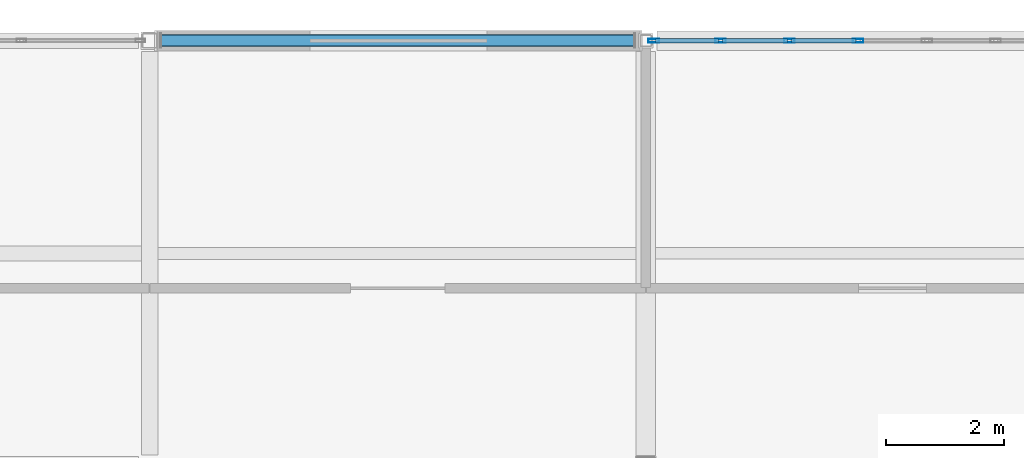
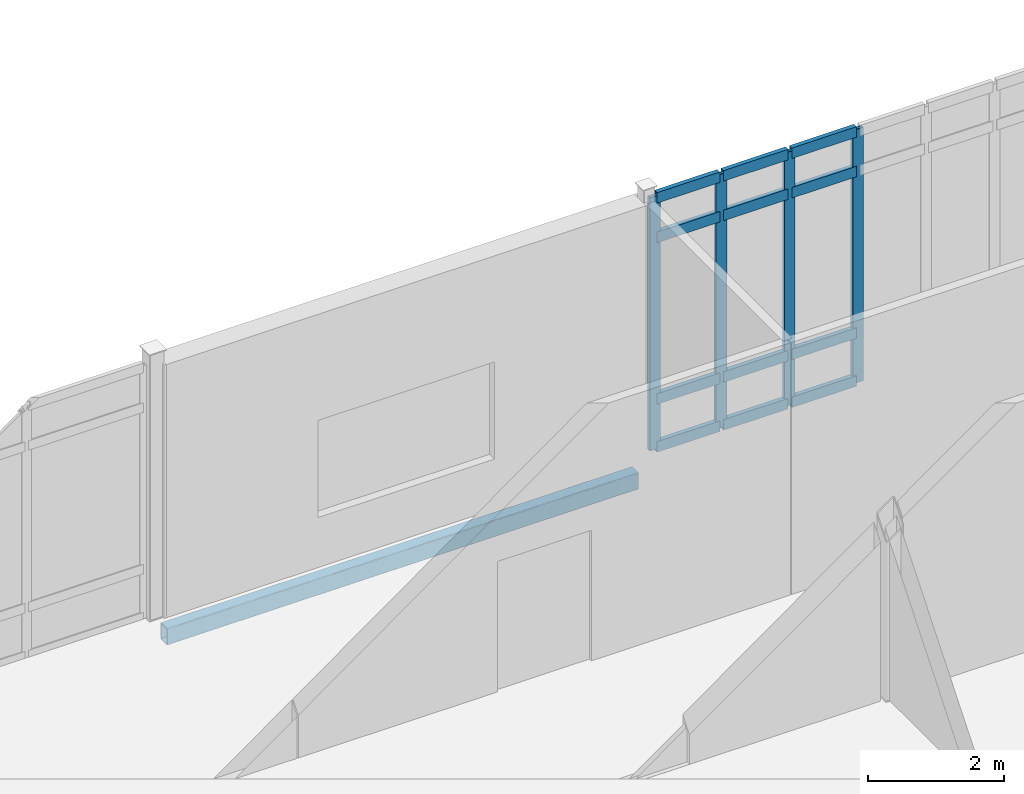
# One storey, part 70 of 153: 16 members, 1 beam, 1 element without a shape of its own.
"""IFC4 building model written with IfcOpenShell, lengths in metres."""

from ifc_helpers import new_model, si_unit, direction, frame, origin, origin_2d, place, context, subcontext, project, spatial, hollow_rectangle, extrude, material, layer, layer_set, material_profile, profile_set, type_object, element, aggregate, save


model = new_model("IFC4")

# Units and contexts
model_context = context("Model", 3, precision=1e-05, world=origin(), true_north=direction((0.0, 1.0)))
body_context = subcontext(model_context, "Body", "Model", "MODEL_VIEW")
ifc_project = project(units=[si_unit("LENGTHUNIT", "METRE"), si_unit("AREAUNIT", "SQUARE_METRE"), si_unit("VOLUMEUNIT", "CUBIC_METRE"), si_unit("PLANEANGLEUNIT", "RADIAN"), si_unit("MASSUNIT", "GRAM", prefix="KILO")], contexts=[model_context])

# Site, building, storey
site_placement = place(None, origin())
site = spatial("IfcSite", under=ifc_project, at=site_placement, CompositionType="ELEMENT")
building_placement = place(site_placement, origin())
building = spatial("IfcBuilding", under=site, at=building_placement, Name="Calvrana Isthmian Art Gallery", CompositionType="ELEMENT")
storey_placement = place(building_placement, frame((0.0, 0.0, 10.199951171875)))
storey = spatial("IfcBuildingStorey", under=building, at=storey_placement, Name="L02", CompositionType="ELEMENT", Elevation=10.199951171875)

# Beam
ifc_material_1 = material(Name="Steel ASTM A500 Gr C", Category="steel")
ifc_material_profile_1 = material_profile(ifc_material_1, hollow_rectangle(XDim=0.203125, YDim=0.3046875, WallThickness=0.0126953125, OuterFilletRadius=0.02490234375, at=origin_2d()), Name="HSS305X203X12.7")
ifc_profile_set_1 = profile_set([ifc_material_profile_1], Name="Steel ASTM A500 Gr C")
beam_type = type_object("IfcBeamType", Name="BM-SP-HSS305", PredefinedType="SPANDREL", material=ifc_profile_set_1)
beam_placement = place(storey_placement, frame((46.986572265625, 112.800048828125, -0.417236328125), z_axis=(1.0, 0.0, 0.0), x_axis=(0.0, 1.0, 0.0)))
element("IfcBeam", 1, at=beam_placement, inside=storey, type_object=beam_type, Name="Girder X L02 07-08/P", PredefinedType="SPANDREL", context=body_context, shape_type="SweptSolid", body=[
    extrude(hollow_rectangle(XDim=0.203125, YDim=0.3046875, WallThickness=0.0126953125, OuterFilletRadius=0.02490234375, at=origin_2d()), origin(), (0.0, 0.0, 1.0), 8.02685546875),
])

# Curtain wall, members
ifc_material_2 = material(Name="Anodized bronze aluminium 6063-T6", Category="aluminium")
ifc_layer = layer(ifc_material_2, 0.179931640625, Name="Anodized bronze aluminium 6063-T6")
ifc_layer_set = layer_set([ifc_layer], Name="Anodized bronze aluminium 6063-T6")
curtain_wall_type = type_object("IfcCurtainWallType", Name="CW-STICK-081X46", PredefinedType="NOTDEFINED", material=ifc_layer_set)
curtain_wall_placement = place(storey_placement, origin())
curtain_wall = element("IfcCurtainWall", 2, at=curtain_wall_placement, inside=storey, type_object=curtain_wall_type, Name="Curtain wall CW-164", PredefinedType="NOTDEFINED")
ifc_material_profile_2 = material_profile(ifc_material_2, hollow_rectangle(XDim=0.06494140625, YDim=0.179931640625, WallThickness=0.00439453125, at=origin_2d()), Name="CWM65X180")
ifc_profile_set_2 = profile_set([ifc_material_profile_2], Name="Anodized bronze aluminium 6063-T6")
member_type_1 = type_object("IfcMemberType", Name="CWM-CWM65X180", PredefinedType="MULLION", material=ifc_profile_set_2)
member_1_placement = place(storey_placement, frame((55.333984375, 112.800048828125, 0.0), z_axis=(0.0, 0.0, 1.0), x_axis=(0.0, 1.0, 0.0)))
member_1 = element("IfcMember", 3, at=member_1_placement, type_object=member_type_1, Name="CW-164 mullion 1", PredefinedType="MULLION", context=body_context, shape_type="SweptSolid", body=[
    extrude(hollow_rectangle(XDim=0.06494140625, YDim=0.179931640625, WallThickness=0.00439453125, at=origin_2d()), origin(), (0.0, 0.0, 1.0), 4.56005859375),
])
member_2_placement = place(storey_placement, frame((56.46533203125, 112.800048828125, 0.0), z_axis=(0.0, 0.0, 1.0), x_axis=(0.0, 1.0, 0.0)))
member_2 = element("IfcMember", 4, at=member_2_placement, type_object=member_type_1, Name="CW-164 mullion 2", PredefinedType="MULLION", context=body_context, shape_type="SweptSolid", body=[
    extrude(hollow_rectangle(XDim=0.06494140625, YDim=0.179931640625, WallThickness=0.00439453125, at=origin_2d()), origin(), (0.0, 0.0, 1.0), 4.56005859375),
])
member_3_placement = place(storey_placement, frame((57.629150390625, 112.800048828125, 0.0), z_axis=(0.0, 0.0, 1.0), x_axis=(0.0, 1.0, 0.0)))
member_3 = element("IfcMember", 5, at=member_3_placement, type_object=member_type_1, Name="CW-164 mullion 3", PredefinedType="MULLION", context=body_context, shape_type="SweptSolid", body=[
    extrude(hollow_rectangle(XDim=0.06494140625, YDim=0.179931640625, WallThickness=0.00439453125, at=origin_2d()), origin(), (0.0, 0.0, 1.0), 4.56005859375),
])
member_4_placement = place(storey_placement, frame((58.792724609375, 112.800048828125, 0.0), z_axis=(0.0, 0.0, 1.0), x_axis=(0.0, 1.0, 0.0)))
member_4 = element("IfcMember", 6, at=member_4_placement, type_object=member_type_1, Name="CW-164 mullion 4", PredefinedType="MULLION", context=body_context, shape_type="SweptSolid", body=[
    extrude(hollow_rectangle(XDim=0.06494140625, YDim=0.179931640625, WallThickness=0.00439453125, at=origin_2d()), origin(), (0.0, 0.0, 1.0), 4.56005859375),
])
ifc_material_profile_3 = material_profile(ifc_material_2, hollow_rectangle(XDim=0.074951171875, YDim=0.18994140625, WallThickness=0.00439453125, at=origin_2d()), Name="CWT75X190")
ifc_profile_set_3 = profile_set([ifc_material_profile_3], Name="Anodized bronze aluminium 6063-T6")
member_type_2 = type_object("IfcMemberType", Name="CWT-CWT75X190", PredefinedType="USERDEFINED", material=ifc_profile_set_3)
member_5_placement = place(storey_placement, frame((55.36669921875, 112.800048828125, 0.03759765625), z_axis=(1.0, 0.0, 0.0), x_axis=(0.0, 1.0, 0.0)))
member_5 = element("IfcMember", 7, at=member_5_placement, type_object=member_type_2, Name="CW-164 transom 1.1", ObjectType="TRANSOM", PredefinedType="USERDEFINED", context=body_context, shape_type="SweptSolid", body=[
    extrude(hollow_rectangle(XDim=0.074951171875, YDim=0.18994140625, WallThickness=0.00439453125, at=origin_2d()), origin(), (0.0, 0.0, 1.0), 1.066162109375),
])
member_6_placement = place(storey_placement, frame((55.36669921875, 112.800048828125, 0.900146484375), z_axis=(1.0, 0.0, 0.0), x_axis=(0.0, 1.0, 0.0)))
member_6 = element("IfcMember", 8, at=member_6_placement, type_object=member_type_2, Name="CW-164 transom 1.2", ObjectType="TRANSOM", PredefinedType="USERDEFINED", context=body_context, shape_type="SweptSolid", body=[
    extrude(hollow_rectangle(XDim=0.074951171875, YDim=0.18994140625, WallThickness=0.00439453125, at=origin_2d()), origin(), (0.0, 0.0, 1.0), 1.066162109375),
])
member_7_placement = place(storey_placement, frame((55.36669921875, 112.800048828125, 3.81005859375), z_axis=(1.0, 0.0, 0.0), x_axis=(0.0, 1.0, 0.0)))
member_7 = element("IfcMember", 9, at=member_7_placement, type_object=member_type_2, Name="CW-164 transom 1.3", ObjectType="TRANSOM", PredefinedType="USERDEFINED", context=body_context, shape_type="SweptSolid", body=[
    extrude(hollow_rectangle(XDim=0.074951171875, YDim=0.18994140625, WallThickness=0.00439453125, at=origin_2d()), origin(), (0.0, 0.0, 1.0), 1.066162109375),
])
member_8_placement = place(storey_placement, frame((55.36669921875, 112.800048828125, 4.5224609375), z_axis=(1.0, 0.0, 0.0), x_axis=(0.0, 1.0, 0.0)))
member_8 = element("IfcMember", 10, at=member_8_placement, type_object=member_type_2, Name="CW-164 transom 1.4", ObjectType="TRANSOM", PredefinedType="USERDEFINED", context=body_context, shape_type="SweptSolid", body=[
    extrude(hollow_rectangle(XDim=0.074951171875, YDim=0.18994140625, WallThickness=0.00439453125, at=origin_2d()), origin(), (0.0, 0.0, 1.0), 1.066162109375),
])
member_9_placement = place(storey_placement, frame((56.497802734375, 112.800048828125, 0.03759765625), z_axis=(1.0, 0.0, 0.0), x_axis=(0.0, 1.0, 0.0)))
member_9 = element("IfcMember", 11, at=member_9_placement, type_object=member_type_2, Name="CW-164 transom 2.1", ObjectType="TRANSOM", PredefinedType="USERDEFINED", context=body_context, shape_type="SweptSolid", body=[
    extrude(hollow_rectangle(XDim=0.074951171875, YDim=0.18994140625, WallThickness=0.00439453125, at=origin_2d()), origin(), (0.0, 0.0, 1.0), 1.0986328125),
])
member_10_placement = place(storey_placement, frame((56.497802734375, 112.800048828125, 0.900146484375), z_axis=(1.0, 0.0, 0.0), x_axis=(0.0, 1.0, 0.0)))
member_10 = element("IfcMember", 12, at=member_10_placement, type_object=member_type_2, Name="CW-164 transom 2.2", ObjectType="TRANSOM", PredefinedType="USERDEFINED", context=body_context, shape_type="SweptSolid", body=[
    extrude(hollow_rectangle(XDim=0.074951171875, YDim=0.18994140625, WallThickness=0.00439453125, at=origin_2d()), origin(), (0.0, 0.0, 1.0), 1.0986328125),
])
member_11_placement = place(storey_placement, frame((56.497802734375, 112.800048828125, 3.81005859375), z_axis=(1.0, 0.0, 0.0), x_axis=(0.0, 1.0, 0.0)))
member_11 = element("IfcMember", 13, at=member_11_placement, type_object=member_type_2, Name="CW-164 transom 2.3", ObjectType="TRANSOM", PredefinedType="USERDEFINED", context=body_context, shape_type="SweptSolid", body=[
    extrude(hollow_rectangle(XDim=0.074951171875, YDim=0.18994140625, WallThickness=0.00439453125, at=origin_2d()), origin(), (0.0, 0.0, 1.0), 1.0986328125),
])
member_12_placement = place(storey_placement, frame((56.497802734375, 112.800048828125, 4.5224609375), z_axis=(1.0, 0.0, 0.0), x_axis=(0.0, 1.0, 0.0)))
member_12 = element("IfcMember", 14, at=member_12_placement, type_object=member_type_2, Name="CW-164 transom 2.4", ObjectType="TRANSOM", PredefinedType="USERDEFINED", context=body_context, shape_type="SweptSolid", body=[
    extrude(hollow_rectangle(XDim=0.074951171875, YDim=0.18994140625, WallThickness=0.00439453125, at=origin_2d()), origin(), (0.0, 0.0, 1.0), 1.0986328125),
])
member_13_placement = place(storey_placement, frame((57.66162109375, 112.800048828125, 0.03759765625), z_axis=(1.0, 0.0, 0.0), x_axis=(0.0, 1.0, 0.0)))
member_13 = element("IfcMember", 15, at=member_13_placement, type_object=member_type_2, Name="CW-164 transom 3.1", ObjectType="TRANSOM", PredefinedType="USERDEFINED", context=body_context, shape_type="SweptSolid", body=[
    extrude(hollow_rectangle(XDim=0.074951171875, YDim=0.18994140625, WallThickness=0.00439453125, at=origin_2d()), origin(), (0.0, 0.0, 1.0), 1.0986328125),
])
member_14_placement = place(storey_placement, frame((57.66162109375, 112.800048828125, 0.900146484375), z_axis=(1.0, 0.0, 0.0), x_axis=(0.0, 1.0, 0.0)))
member_14 = element("IfcMember", 16, at=member_14_placement, type_object=member_type_2, Name="CW-164 transom 3.2", ObjectType="TRANSOM", PredefinedType="USERDEFINED", context=body_context, shape_type="SweptSolid", body=[
    extrude(hollow_rectangle(XDim=0.074951171875, YDim=0.18994140625, WallThickness=0.00439453125, at=origin_2d()), origin(), (0.0, 0.0, 1.0), 1.0986328125),
])
member_15_placement = place(storey_placement, frame((57.66162109375, 112.800048828125, 3.81005859375), z_axis=(1.0, 0.0, 0.0), x_axis=(0.0, 1.0, 0.0)))
member_15 = element("IfcMember", 17, at=member_15_placement, type_object=member_type_2, Name="CW-164 transom 3.3", ObjectType="TRANSOM", PredefinedType="USERDEFINED", context=body_context, shape_type="SweptSolid", body=[
    extrude(hollow_rectangle(XDim=0.074951171875, YDim=0.18994140625, WallThickness=0.00439453125, at=origin_2d()), origin(), (0.0, 0.0, 1.0), 1.0986328125),
])
member_16_placement = place(storey_placement, frame((57.66162109375, 112.800048828125, 4.5224609375), z_axis=(1.0, 0.0, 0.0), x_axis=(0.0, 1.0, 0.0)))
member_16 = element("IfcMember", 18, at=member_16_placement, type_object=member_type_2, Name="CW-164 transom 3.4", ObjectType="TRANSOM", PredefinedType="USERDEFINED", context=body_context, shape_type="SweptSolid", body=[
    extrude(hollow_rectangle(XDim=0.074951171875, YDim=0.18994140625, WallThickness=0.00439453125, at=origin_2d()), origin(), (0.0, 0.0, 1.0), 1.0986328125),
])
aggregate(curtain_wall, [member_1, member_2, member_3, member_4, member_5, member_6, member_7, member_8, member_9, member_10, member_11, member_12, member_13, member_14, member_15, member_16])

save(model, "model.ifc")
